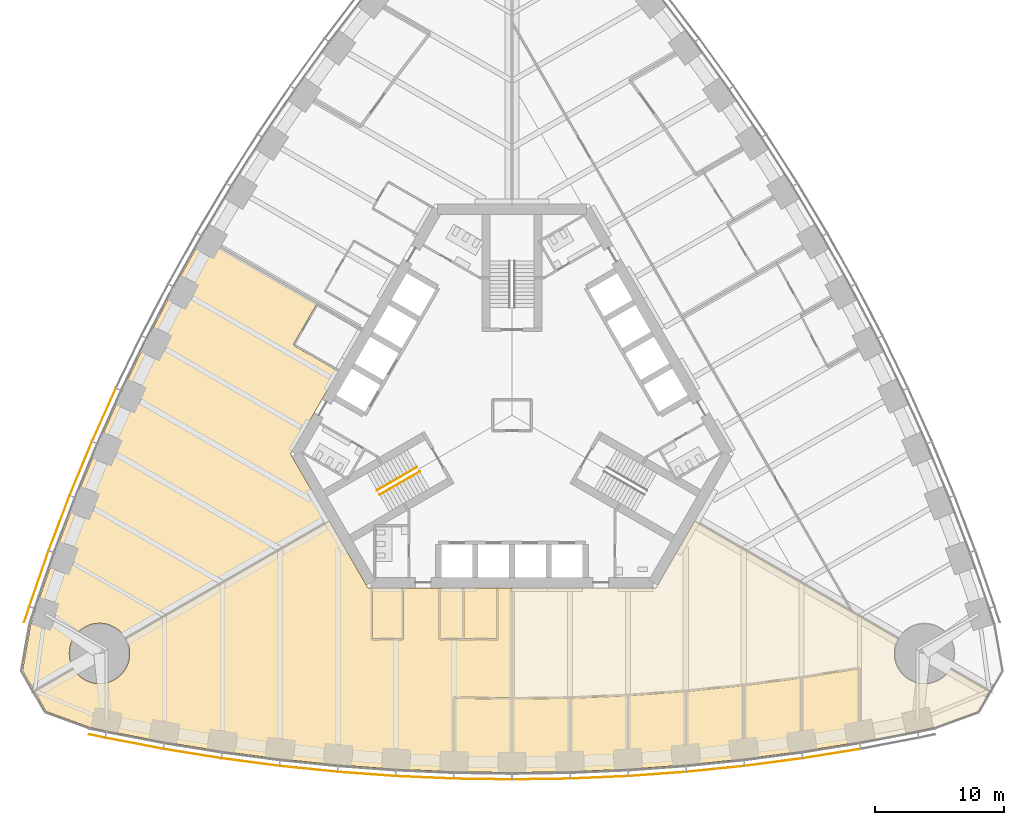
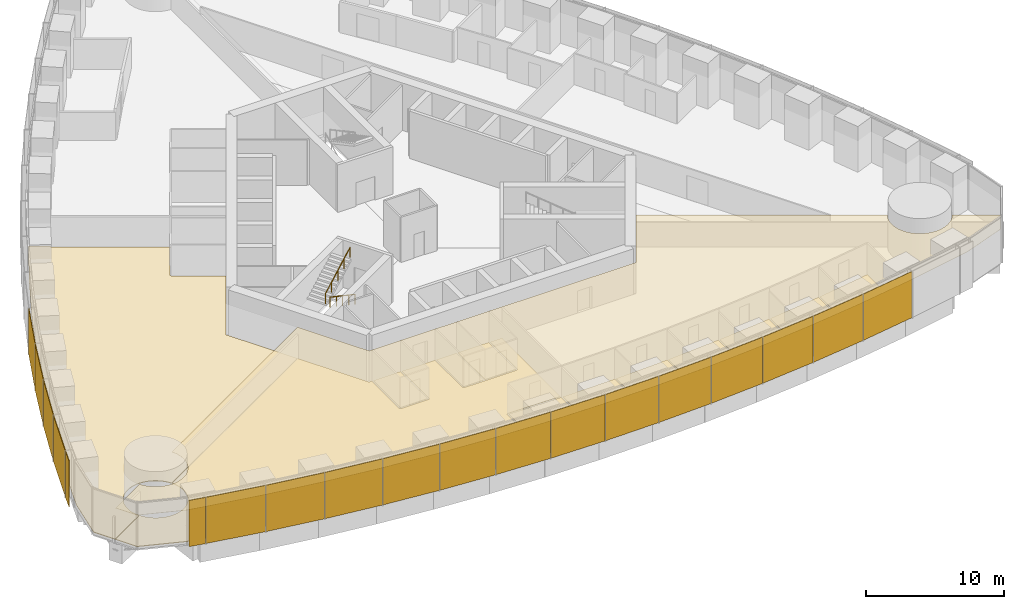
# One storey, part 14 of 18: 19 shading devices, 13 coverings, 2 railings.
"""IFC4 building model written with IfcOpenShell, lengths in metres."""

from ifc_helpers import new_model, si_unit, direction, frame, origin, origin_2d, place, context, subcontext, project, spatial, polyline, rectangle, circle, outline, extrude, material, layer, layer_set, type_object, element, save


model = new_model("IFC4")

# Units and contexts
model_context = context("Model", 3, precision=1e-05, world=origin(), true_north=direction((0.0, 1.0)))
body_context = subcontext(model_context, "Body", "Model", "MODEL_VIEW")
ifc_project = project(units=[si_unit("LENGTHUNIT", "METRE"), si_unit("AREAUNIT", "SQUARE_METRE"), si_unit("VOLUMEUNIT", "CUBIC_METRE"), si_unit("PLANEANGLEUNIT", "RADIAN"), si_unit("MASSUNIT", "GRAM", prefix="KILO")], contexts=[model_context])

# Site, building, storey
site_placement = place(None, origin())
site = spatial("IfcSite", under=ifc_project, at=site_placement, CompositionType="ELEMENT")
building_placement = place(site_placement, origin())
building = spatial("IfcBuilding", under=site, at=building_placement, Name="Trefoil Bronze Tower", CompositionType="ELEMENT")
storey_placement = place(building_placement, frame((0.0, 0.0, 66.89990234375)))
storey = spatial("IfcBuildingStorey", under=building, at=storey_placement, Name="L15", CompositionType="ELEMENT", Elevation=66.89990234375)

# Shading devices
ifc_material_1 = material(Name="Perforated bronze sheet", Category="bronze")
ifc_layer_1 = layer(ifc_material_1, 0.0400390625)
ifc_layer_set_1 = layer_set([ifc_layer_1], Name="Bronze solar screen panel")
shading_device_type = type_object("IfcShadingDeviceType", Name="Bronze solar screen panel", PredefinedType="SHUTTER", material=ifc_layer_set_1)
shading_device_1_placement = place(storey_placement, frame((-32.2431640625, -24.91064453125, 0.050048828125), z_axis=(0.0, 0.0, 1.0), x_axis=(0.978302717041, -0.207180582657, 0.0)))
element("IfcShadingDevice", 1, at=shading_device_1_placement, inside=storey, type_object=shading_device_type, Name="Solar screen CW-A L15 F1 bay 1", PredefinedType="SHUTTER", context=body_context, shape_type="SweptSolid", body=[
    extrude(rectangle(XDim=1.260498046875, YDim=0.0400390625, at=origin_2d()), origin(), (0.0, 0.0, 1.0), 4.10009765625),
])
shading_device_2_placement = place(storey_placement, frame((-29.351806640625, -25.478515625, 0.050048828125), z_axis=(0.0, 0.0, 1.0), x_axis=(0.982049823817, -0.188621694249, 0.0)))
element("IfcShadingDevice", 2, at=shading_device_2_placement, inside=storey, type_object=shading_device_type, Name="Solar screen CW-A L15 F1 bay 2", PredefinedType="SHUTTER", context=body_context, shape_type="SweptSolid", body=[
    extrude(rectangle(XDim=4.55224609375, YDim=0.0400390625, at=origin_2d()), origin(), (0.0, 0.0, 1.0), 4.10009765625),
])
shading_device_3_placement = place(storey_placement, frame((-24.836181640625, -26.277099609375, 0.050048828125), z_axis=(0.0, 0.0, 1.0), x_axis=(0.987181315145, -0.159602791421, 0.0)))
element("IfcShadingDevice", 3, at=shading_device_3_placement, inside=storey, type_object=shading_device_type, Name="Solar screen CW-A L15 F1 bay 3", PredefinedType="SHUTTER", context=body_context, shape_type="SweptSolid", body=[
    extrude(rectangle(XDim=4.5283203125, YDim=0.0400390625, at=origin_2d()), origin(), (0.0, 0.0, 1.0), 4.10009765625),
])
shading_device_4_placement = place(storey_placement, frame((-20.320556640625, -26.939697265625, 0.050048828125), z_axis=(0.0, 0.0, 1.0), x_axis=(0.991437251591, -0.130583981243, 0.0)))
element("IfcShadingDevice", 4, at=shading_device_4_placement, inside=storey, type_object=shading_device_type, Name="Solar screen CW-A L15 F1 bay 4", PredefinedType="SHUTTER", context=body_context, shape_type="SweptSolid", body=[
    extrude(rectangle(XDim=4.5087890625, YDim=0.0400390625, at=origin_2d()), origin(), (0.0, 0.0, 1.0), 4.10009765625),
])
shading_device_5_placement = place(storey_placement, frame((-15.804931640625, -27.467529296875, 0.050048828125), z_axis=(0.0, 0.0, 1.0), x_axis=(0.994828880293, -0.101565244717, 0.0)))
element("IfcShadingDevice", 5, at=shading_device_5_placement, inside=storey, type_object=shading_device_type, Name="Solar screen CW-A L15 F1 bay 5", PredefinedType="SHUTTER", context=body_context, shape_type="SweptSolid", body=[
    extrude(rectangle(XDim=4.493408203125, YDim=0.0400390625, at=origin_2d()), origin(), (0.0, 0.0, 1.0), 4.10009765625),
])
shading_device_6_placement = place(storey_placement, frame((-11.2890625, -27.8623046875, 0.050048828125), z_axis=(0.0, 0.0, 1.0), x_axis=(0.99736502647, -0.072546564177, 0.0)))
element("IfcShadingDevice", 6, at=shading_device_6_placement, inside=storey, type_object=shading_device_type, Name="Solar screen CW-A L15 F1 bay 6", PredefinedType="SHUTTER", context=body_context, shape_type="SweptSolid", body=[
    extrude(rectangle(XDim=4.48193359375, YDim=0.0400390625, at=origin_2d()), origin(), (0.0, 0.0, 1.0), 4.10009765625),
])
shading_device_7_placement = place(storey_placement, frame((-6.7734375, -28.124755859375, 0.050048828125), z_axis=(0.0, 0.0, 1.0), x_axis=(0.999052210809, -0.043527922969, 0.0)))
element("IfcShadingDevice", 7, at=shading_device_7_placement, inside=storey, type_object=shading_device_type, Name="Solar screen CW-A L15 F1 bay 7", PredefinedType="SHUTTER", context=body_context, shape_type="SweptSolid", body=[
    extrude(rectangle(XDim=4.474365234375, YDim=0.0400390625, at=origin_2d()), origin(), (0.0, 0.0, 1.0), 4.10009765625),
])
for number, where, z_axis, x_axis, name in (
    (8, (-2.2578125, -28.256103515625, 0.050048828125), (0.0, 0.0, 1.0), (0.999894734493, -0.014509305083, 0.0), "Solar screen CW-A L15 F1 bay 8"),
    (9, (2.2578125, -28.256103515625, 0.050048828125), (0.0, 0.0, 1.0), (0.999894734493, 0.014509305083, 0.0), "Solar screen CW-A L15 F1 bay 9"),
):
    element("IfcShadingDevice", number, at=place(storey_placement, frame(where, z_axis=z_axis, x_axis=x_axis)), inside=storey, type_object=shading_device_type, Name=name, PredefinedType="SHUTTER", context=body_context, shape_type="SweptSolid", body=[
        extrude(rectangle(XDim=4.470458984375, YDim=0.0400390625, at=origin_2d()), origin(), (0.0, 0.0, 1.0), 4.10009765625),
    ])
shading_device_8_placement = place(storey_placement, frame((6.7734375, -28.124755859375, 0.050048828125), z_axis=(0.0, 0.0, 1.0), x_axis=(0.999052210809, 0.043527922969, 0.0)))
element("IfcShadingDevice", 10, at=shading_device_8_placement, inside=storey, type_object=shading_device_type, Name="Solar screen CW-A L15 F1 bay 10", PredefinedType="SHUTTER", context=body_context, shape_type="SweptSolid", body=[
    extrude(rectangle(XDim=4.474365234375, YDim=0.0400390625, at=origin_2d()), origin(), (0.0, 0.0, 1.0), 4.10009765625),
])
shading_device_9_placement = place(storey_placement, frame((11.2890625, -27.8623046875, 0.050048828125), z_axis=(0.0, 0.0, 1.0), x_axis=(0.99736502647, 0.072546564177, 0.0)))
element("IfcShadingDevice", 11, at=shading_device_9_placement, inside=storey, type_object=shading_device_type, Name="Solar screen CW-A L15 F1 bay 11", PredefinedType="SHUTTER", context=body_context, shape_type="SweptSolid", body=[
    extrude(rectangle(XDim=4.48193359375, YDim=0.0400390625, at=origin_2d()), origin(), (0.0, 0.0, 1.0), 4.10009765625),
])
shading_device_10_placement = place(storey_placement, frame((15.804931640625, -27.467529296875, 0.050048828125), z_axis=(0.0, 0.0, 1.0), x_axis=(0.994828880293, 0.101565244717, 0.0)))
element("IfcShadingDevice", 12, at=shading_device_10_placement, inside=storey, type_object=shading_device_type, Name="Solar screen CW-A L15 F1 bay 12", PredefinedType="SHUTTER", context=body_context, shape_type="SweptSolid", body=[
    extrude(rectangle(XDim=4.493408203125, YDim=0.0400390625, at=origin_2d()), origin(), (0.0, 0.0, 1.0), 4.10009765625),
])
shading_device_11_placement = place(storey_placement, frame((20.320556640625, -26.939697265625, 0.050048828125), z_axis=(0.0, 0.0, 1.0), x_axis=(0.991437251591, 0.130583981243, 0.0)))
element("IfcShadingDevice", 13, at=shading_device_11_placement, inside=storey, type_object=shading_device_type, Name="Solar screen CW-A L15 F1 bay 13", PredefinedType="SHUTTER", context=body_context, shape_type="SweptSolid", body=[
    extrude(rectangle(XDim=4.5087890625, YDim=0.0400390625, at=origin_2d()), origin(), (0.0, 0.0, 1.0), 4.10009765625),
])
shading_device_12_placement = place(storey_placement, frame((24.836181640625, -26.277099609375, 0.050048828125), z_axis=(0.0, 0.0, 1.0), x_axis=(0.987181315145, 0.159602791421, 0.0)))
element("IfcShadingDevice", 14, at=shading_device_12_placement, inside=storey, type_object=shading_device_type, Name="Solar screen CW-A L15 F1 bay 14", PredefinedType="SHUTTER", context=body_context, shape_type="SweptSolid", body=[
    extrude(rectangle(XDim=4.5283203125, YDim=0.0400390625, at=origin_2d()), origin(), (0.0, 0.0, 1.0), 4.10009765625),
])
shading_device_13_placement = place(storey_placement, frame((-31.68994140625, 0.04638671875, 0.050048828125), z_axis=(0.0, 0.0, 1.0), x_axis=(-0.40945635808, -0.912329705111, 0.0)))
element("IfcShadingDevice", 15, at=shading_device_13_placement, inside=storey, type_object=shading_device_type, Name="Solar screen CW-A L15 F3 bay 12", PredefinedType="SHUTTER", context=body_context, shape_type="SweptSolid", body=[
    extrude(rectangle(XDim=4.493408203125, YDim=0.0400390625, at=origin_2d()), origin(), (0.0, 0.0, 1.0), 4.10009765625),
])
shading_device_14_placement = place(storey_placement, frame((-33.49072265625, -4.128173828125, 0.050048828125), z_axis=(0.0, 0.0, 1.0), x_axis=(-0.382629580712, -0.923901836758, 0.0)))
element("IfcShadingDevice", 16, at=shading_device_14_placement, inside=storey, type_object=shading_device_type, Name="Solar screen CW-A L15 F3 bay 13", PredefinedType="SHUTTER", context=body_context, shape_type="SweptSolid", body=[
    extrude(rectangle(XDim=4.5087890625, YDim=0.0400390625, at=origin_2d()), origin(), (0.0, 0.0, 1.0), 4.10009765625),
])
shading_device_15_placement = place(storey_placement, frame((-35.1748046875, -8.3701171875, 0.050048828125), z_axis=(0.0, 0.0, 1.0), x_axis=(-0.355370585687, -0.934725492767, 0.0)))
element("IfcShadingDevice", 17, at=shading_device_15_placement, inside=storey, type_object=shading_device_type, Name="Solar screen CW-A L15 F3 bay 14", PredefinedType="SHUTTER", context=body_context, shape_type="SweptSolid", body=[
    extrude(rectangle(XDim=4.5283203125, YDim=0.0400390625, at=origin_2d()), origin(), (0.0, 0.0, 1.0), 4.10009765625),
])
shading_device_16_placement = place(storey_placement, frame((-36.740966796875, -12.68017578125, 0.050048828125), z_axis=(0.0, 0.0, 1.0), x_axis=(-0.327673732984, -0.944790942332, 0.0)))
element("IfcShadingDevice", 18, at=shading_device_16_placement, inside=storey, type_object=shading_device_type, Name="Solar screen CW-A L15 F3 bay 15", PredefinedType="SHUTTER", context=body_context, shape_type="SweptSolid", body=[
    extrude(rectangle(XDim=4.55224609375, YDim=0.0400390625, at=origin_2d()), origin(), (0.0, 0.0, 1.0), 4.10009765625),
])
shading_device_17_placement = place(storey_placement, frame((-37.69482421875, -15.468017578125, 0.050048828125), z_axis=(0.0, 0.0, 1.0), x_axis=(-0.309727710769, -0.950825296877, 0.0)))
element("IfcShadingDevice", 19, at=shading_device_17_placement, inside=storey, type_object=shading_device_type, Name="Solar screen CW-A L15 F3 bay 16", PredefinedType="SHUTTER", context=body_context, shape_type="SweptSolid", body=[
    extrude(rectangle(XDim=1.260498046875, YDim=0.0400390625, at=origin_2d()), origin(), (0.0, 0.0, 1.0), 4.10009765625),
])

# Railings
ifc_material_2 = material(Name="Steel handrail", Category="steel")
railing_type = type_object("IfcRailingType", Name="Handrail 900", PredefinedType="HANDRAIL", material=ifc_material_2)
railing_1_placement = place(storey_placement, frame((-7.166015625, -4.3681640625, 0.16162109375)))
element("IfcRailing", 20, at=railing_1_placement, inside=storey, type_object=railing_type, Name="Handrail ST3 flight 1 L15", PredefinedType="HANDRAIL", context=body_context, shape_type="SweptSolid", body=[
    extrude(circle(Radius=0.02392578125, at=origin_2d()), frame((0.0, 0.0, 0.8759765625), z_axis=(-0.76250339821, -0.440245697338, 0.474101564745), x_axis=(0.500012057535, -0.866018442252, 0.0)), (0.0, 0.0, 1.0), 4.088623046875),
    extrude(circle(Radius=0.02099609375, at=origin_2d()), origin(), (0.0, 0.0, 1.0), 0.851806640625),
    extrude(circle(Radius=0.02099609375, at=origin_2d()), frame((-0.779296875, -0.449951171875, 0.484619140625)), (0.0, 0.0, 1.0), 0.851806640625),
    extrude(circle(Radius=0.02099609375, at=origin_2d()), frame((-1.558837890625, -0.89990234375, 0.96923828125)), (0.0, 0.0, 1.0), 0.851806640625),
    extrude(circle(Radius=0.02099609375, at=origin_2d()), frame((-2.33837890625, -1.35009765625, 1.453857421875)), (0.0, 0.0, 1.0), 0.851806640625),
    extrude(circle(Radius=0.02099609375, at=origin_2d()), frame((-3.11767578125, -1.800048828125, 1.9384765625)), (0.0, 0.0, 1.0), 0.851806640625),
])
railing_2_placement = place(storey_placement, frame((-10.483642578125, -5.82177734375, 2.26171875)))
element("IfcRailing", 21, at=railing_2_placement, inside=storey, type_object=railing_type, Name="Handrail ST3 flight 2 L15", PredefinedType="HANDRAIL", context=body_context, shape_type="SweptSolid", body=[
    extrude(circle(Radius=0.02392578125, at=origin_2d()), frame((0.0, 0.0, 0.8759765625), z_axis=(0.76250339821, 0.440245697338, 0.474101564745), x_axis=(-0.500012057535, 0.866018442252, 0.0)), (0.0, 0.0, 1.0), 4.088623046875),
    extrude(circle(Radius=0.02099609375, at=origin_2d()), origin(), (0.0, 0.0, 1.0), 0.851806640625),
    extrude(circle(Radius=0.02099609375, at=origin_2d()), frame((0.779296875, 0.449951171875, 0.484619140625)), (0.0, 0.0, 1.0), 0.851806640625),
    extrude(circle(Radius=0.02099609375, at=origin_2d()), frame((1.558837890625, 0.89990234375, 0.96923828125)), (0.0, 0.0, 1.0), 0.851806640625),
    extrude(circle(Radius=0.02099609375, at=origin_2d()), frame((2.33837890625, 1.35009765625, 1.453857421875)), (0.0, 0.0, 1.0), 0.851806640625),
    extrude(circle(Radius=0.02099609375, at=origin_2d()), frame((3.11767578125, 1.800048828125, 1.9384765625)), (0.0, 0.0, 1.0), 0.851806640625),
])

# Coverings
ifc_material_3 = material(Name="Acoustic ceiling panels", Category="mineral fibre")
ifc_layer_2 = layer(ifc_material_3, 0.02001953125)
ifc_layer_set_2 = layer_set([ifc_layer_2], Name="Office ceiling 20")
covering_type_1 = type_object("IfcCoveringType", Name="Office ceiling 20", PredefinedType="CEILING", material=ifc_layer_set_2)
covering_1_placement = place(storey_placement, frame((0.0, 0.0, 2.900146484375)))
element("IfcCovering", 22, at=covering_1_placement, inside=storey, type_object=covering_type_1, Name="Ceiling L15 Open-plan office F1", PredefinedType="CEILING", context=body_context, shape_type="SweptSolid", body=[
    extrude(outline(polyline([(-33.996826171875, -19.8056640625), (-33.930419921875, -19.89990234375), (-33.859619140625, -19.99072265625), (-33.7841796875, -20.078125), (-33.70458984375, -20.16162109375), (-33.62109375, -20.2412109375), (-33.53369140625, -20.316650390625), (-33.44287109375, -20.387451171875), (-33.348388671875, -20.4541015625), (-33.251220703125, -20.515625), (-33.150634765625, -20.572509765625), (-33.047607421875, -20.62451171875), (-32.942138671875, -20.671142578125), (-32.834716796875, -20.712646484375), (-32.72509765625, -20.748779296875), (-32.614013671875, -20.779541015625), (-32.50146484375, -20.8046875), (-32.3876953125, -20.82470703125), (-32.273193359375, -20.838623046875), (-32.158203125, -20.84716796875), (-32.04296875, -20.85009765625), (-31.927490234375, -20.84716796875), (-31.8125, -20.838623046875), (-31.697998046875, -20.82470703125), (-31.58447265625, -20.8046875), (-31.471923828125, -20.779541015625), (-31.36083984375, -20.748779296875), (-31.251220703125, -20.712646484375), (-31.1435546875, -20.671142578125), (-31.0380859375, -20.62451171875), (-30.935302734375, -20.572509765625), (-30.834716796875, -20.515625), (-30.7373046875, -20.4541015625), (-30.64306640625, -20.387451171875), (-30.552001953125, -20.316650390625), (-30.46484375, -20.2412109375), (-30.381103515625, -20.16162109375), (-30.3017578125, -20.078125), (-30.226318359375, -19.99072265625), (-30.155517578125, -19.89990234375), (-30.089111328125, -19.8056640625), (-30.02734375, -19.7080078125), (-29.970458984375, -19.60791015625), (-29.918701171875, -19.5048828125), (-29.871826171875, -19.3994140625), (-29.830322265625, -19.291748046875), (-29.794189453125, -19.18212890625), (-29.763427734375, -19.071044921875), (-29.738037109375, -18.95849609375), (-29.718505859375, -18.8447265625), (-29.704345703125, -18.730224609375), (-29.69580078125, -18.615234375), (-29.69287109375, -18.5), (-29.69580078125, -18.384765625), (-29.704345703125, -18.269775390625), (-29.718505859375, -18.1552734375), (-29.738037109375, -18.04150390625), (-29.763427734375, -17.928955078125), (-29.794189453125, -17.81787109375), (-29.830322265625, -17.708251953125), (-29.871826171875, -17.6005859375), (-29.918701171875, -17.4951171875), (-29.970458984375, -17.39208984375), (-30.001953125, -17.336669921875), (-14.19970703125, -8.205322265625), (-11.20068359375, -13.39990234375), (11.20068359375, -13.39990234375), (14.19970703125, -8.205322265625), (30.001953125, -17.336669921875), (29.970458984375, -17.39208984375), (29.918701171875, -17.4951171875), (29.871826171875, -17.6005859375), (29.830322265625, -17.708251953125), (29.794189453125, -17.81787109375), (29.763427734375, -17.928955078125), (29.738037109375, -18.04150390625), (29.718505859375, -18.1552734375), (29.704345703125, -18.269775390625), (29.69580078125, -18.384765625), (29.69287109375, -18.5), (29.69580078125, -18.615234375), (29.704345703125, -18.730224609375), (29.718505859375, -18.8447265625), (29.738037109375, -18.95849609375), (29.763427734375, -19.071044921875), (29.794189453125, -19.18212890625), (29.830322265625, -19.291748046875), (29.871826171875, -19.3994140625), (29.918701171875, -19.5048828125), (29.970458984375, -19.60791015625), (30.02734375, -19.7080078125), (30.089111328125, -19.8056640625), (30.155517578125, -19.89990234375), (30.226318359375, -19.99072265625), (30.3017578125, -20.078125), (30.381103515625, -20.16162109375), (30.46484375, -20.2412109375), (30.552001953125, -20.316650390625), (30.64306640625, -20.387451171875), (30.7373046875, -20.4541015625), (30.834716796875, -20.515625), (30.935302734375, -20.572509765625), (31.0380859375, -20.62451171875), (31.1435546875, -20.671142578125), (31.251220703125, -20.712646484375), (31.36083984375, -20.748779296875), (31.471923828125, -20.779541015625), (31.58447265625, -20.8046875), (31.697998046875, -20.82470703125), (31.8125, -20.838623046875), (31.927490234375, -20.84716796875), (32.04296875, -20.85009765625), (32.158203125, -20.84716796875), (32.273193359375, -20.838623046875), (32.3876953125, -20.82470703125), (32.50146484375, -20.8046875), (32.614013671875, -20.779541015625), (32.72509765625, -20.748779296875), (32.834716796875, -20.712646484375), (32.942138671875, -20.671142578125), (33.047607421875, -20.62451171875), (33.150634765625, -20.572509765625), (33.251220703125, -20.515625), (33.348388671875, -20.4541015625), (33.44287109375, -20.387451171875), (33.53369140625, -20.316650390625), (33.62109375, -20.2412109375), (33.70458984375, -20.16162109375), (33.7841796875, -20.078125), (33.859619140625, -19.99072265625), (33.930419921875, -19.89990234375), (33.996826171875, -19.8056640625), (34.0703125, -19.6875), (37.094482421875, -21.43505859375), (36.190673828125, -23.0009765625), (32.762451171875, -24.248779296875), (31.5, -24.51611328125), (27.0, -25.38037109375), (22.5, -26.10791015625), (18.0, -26.70068359375), (13.5, -27.159912109375), (9.0, -27.4873046875), (4.5, -27.683349609375), (0.0, -27.748779296875), (-4.5, -27.683349609375), (-9.0, -27.4873046875), (-13.5, -27.159912109375), (-18.0, -26.70068359375), (-22.5, -26.10791015625), (-27.0, -25.38037109375), (-31.5, -24.51611328125), (-32.762451171875, -24.248779296875), (-36.190673828125, -23.0009765625), (-37.094482421875, -21.43505859375), (-34.0703125, -19.6875), (-33.996826171875, -19.8056640625)])), origin(), (0.0, 0.0, 1.0), 0.02001953125),
])
ifc_material_4 = material(Name="Raised access floor panels", Category="steel")
ifc_layer_3 = layer(ifc_material_4, 0.050048828125)
ifc_layer_set_3 = layer_set([ifc_layer_3], Name="Raised access floor 150")
covering_type_2 = type_object("IfcCoveringType", Name="Raised access floor 150", PredefinedType="FLOORING", material=ifc_layer_set_3)
covering_2_placement = place(storey_placement, frame((0.0, 0.0, 0.10009765625)))
element("IfcCovering", 23, at=covering_2_placement, inside=storey, type_object=covering_type_2, Name="Raised floor L15 Focus room F1", PredefinedType="FLOORING", context=body_context, shape_type="SweptSolid", body=[
    extrude(outline(polyline([(-3.860107421875, -13.39990234375), (-3.860107421875, -17.340087890625), (-5.5400390625, -17.340087890625), (-5.5400390625, -13.39990234375), (-3.860107421875, -13.39990234375)])), origin(), (0.0, 0.0, 1.0), 0.050048828125),
])
covering_3_placement = place(storey_placement, frame((0.0, 0.0, 0.10009765625)))
element("IfcCovering", 24, at=covering_3_placement, inside=storey, type_object=covering_type_2, Name="Raised floor L15 Pantry F1", PredefinedType="FLOORING", context=body_context, shape_type="SweptSolid", body=[
    extrude(outline(polyline([(-1.159912109375, -13.39990234375), (-1.159912109375, -17.340087890625), (-3.739990234375, -17.340087890625), (-3.739990234375, -13.39990234375), (-1.159912109375, -13.39990234375)])), origin(), (0.0, 0.0, 1.0), 0.050048828125),
])
covering_4_placement = place(storey_placement, frame((0.0, 0.0, 0.10009765625)))
element("IfcCovering", 25, at=covering_4_placement, inside=storey, type_object=covering_type_2, Name="Raised floor L15 Store F1", PredefinedType="FLOORING", context=body_context, shape_type="SweptSolid", body=[
    extrude(outline(polyline([(-8.56005859375, -13.39990234375), (-8.56005859375, -17.340087890625), (-10.840087890625, -17.340087890625), (-10.840087890625, -13.39990234375), (-8.56005859375, -13.39990234375)])), origin(), (0.0, 0.0, 1.0), 0.050048828125),
])
covering_5_placement = place(storey_placement, frame((0.0, 0.0, 0.10009765625)))
element("IfcCovering", 26, at=covering_5_placement, inside=storey, type_object=covering_type_2, Name="Raised floor L15 Office F1", PredefinedType="FLOORING", context=body_context, shape_type="SweptSolid", body=[
    extrude(outline(polyline([(0.0, -27.748779296875), (-4.5, -27.683349609375), (-4.5, -26.052734375), (-4.43994140625, -26.052734375), (-4.43994140625, -21.994384765625), (-0.074951171875, -22.0576171875), (-0.074951171875, -26.11865234375), (0.0, -26.11865234375), (0.0, -27.748779296875)])), origin(), (0.0, 0.0, 1.0), 0.050048828125),
])
covering_6_placement = place(storey_placement, frame((0.0, 0.0, 0.10009765625)))
element("IfcCovering", 27, at=covering_6_placement, inside=storey, type_object=covering_type_2, Name="Raised floor L15 Office F1", PredefinedType="FLOORING", context=body_context, shape_type="SweptSolid", body=[
    extrude(outline(polyline([(4.5, -27.683349609375), (0.0, -27.748779296875), (0.0, -26.11865234375), (0.074951171875, -26.11865234375), (0.074951171875, -22.0576171875), (4.43994140625, -21.994384765625), (4.43994140625, -26.052734375), (4.5, -26.052734375), (4.5, -27.683349609375)])), origin(), (0.0, 0.0, 1.0), 0.050048828125),
])
covering_7_placement = place(storey_placement, frame((0.0, 0.0, 0.10009765625)))
element("IfcCovering", 28, at=covering_7_placement, inside=storey, type_object=covering_type_2, Name="Raised floor L15 Office F1", PredefinedType="FLOORING", context=body_context, shape_type="SweptSolid", body=[
    extrude(outline(polyline([(9.0, -27.4873046875), (4.5, -27.683349609375), (4.5, -26.052734375), (4.56005859375, -26.052734375), (4.56005859375, -21.990966796875), (8.93994140625, -21.800048828125), (8.93994140625, -25.8544921875), (9.0, -25.8544921875), (9.0, -27.4873046875)])), origin(), (0.0, 0.0, 1.0), 0.050048828125),
])
covering_8_placement = place(storey_placement, frame((0.0, 0.0, 0.10009765625)))
element("IfcCovering", 29, at=covering_8_placement, inside=storey, type_object=covering_type_2, Name="Raised floor L15 Office F1", PredefinedType="FLOORING", context=body_context, shape_type="SweptSolid", body=[
    extrude(outline(polyline([(13.5, -27.159912109375), (9.0, -27.4873046875), (9.0, -25.8544921875), (9.06005859375, -25.8544921875), (9.06005859375, -21.793212890625), (13.43994140625, -21.474609375), (13.43994140625, -25.52392578125), (13.5, -25.52392578125), (13.5, -27.159912109375)])), origin(), (0.0, 0.0, 1.0), 0.050048828125),
])
covering_9_placement = place(storey_placement, frame((0.0, 0.0, 0.10009765625)))
element("IfcCovering", 30, at=covering_9_placement, inside=storey, type_object=covering_type_2, Name="Raised floor L15 Office F1", PredefinedType="FLOORING", context=body_context, shape_type="SweptSolid", body=[
    extrude(outline(polyline([(18.0, -26.70068359375), (13.5, -27.159912109375), (13.5, -25.52392578125), (13.56005859375, -25.52392578125), (13.56005859375, -21.464111328125), (17.93994140625, -21.01708984375), (17.93994140625, -25.0595703125), (18.0, -25.0595703125), (18.0, -26.70068359375)])), origin(), (0.0, 0.0, 1.0), 0.050048828125),
])
covering_10_placement = place(storey_placement, frame((0.0, 0.0, 0.10009765625)))
element("IfcCovering", 31, at=covering_10_placement, inside=storey, type_object=covering_type_2, Name="Raised floor L15 Office F1", PredefinedType="FLOORING", context=body_context, shape_type="SweptSolid", body=[
    extrude(outline(polyline([(22.5, -26.10791015625), (18.0, -26.70068359375), (18.0, -25.0595703125), (18.06005859375, -25.0595703125), (18.06005859375, -21.003173828125), (22.43994140625, -20.42626953125), (22.43994140625, -24.460693359375), (22.5, -24.460693359375), (22.5, -26.10791015625)])), origin(), (0.0, 0.0, 1.0), 0.050048828125),
])
covering_11_placement = place(storey_placement, frame((0.0, 0.0, 0.10009765625)))
element("IfcCovering", 32, at=covering_11_placement, inside=storey, type_object=covering_type_2, Name="Raised floor L15 Meeting room F1", PredefinedType="FLOORING", context=body_context, shape_type="SweptSolid", body=[
    extrude(outline(polyline([(27.0, -25.38037109375), (22.5, -26.10791015625), (22.5, -24.460693359375), (22.56005859375, -24.460693359375), (22.56005859375, -20.408935546875), (26.93994140625, -19.70068359375), (26.93994140625, -23.72509765625), (27.0, -23.72509765625), (27.0, -25.38037109375)])), origin(), (0.0, 0.0, 1.0), 0.050048828125),
])
covering_12_placement = place(storey_placement, frame((0.0, 0.0, 0.10009765625)))
element("IfcCovering", 33, at=covering_12_placement, inside=storey, type_object=covering_type_2, Name="Raised floor L15 Open-plan office F1", PredefinedType="FLOORING", context=body_context, shape_type="SweptSolid", body=[
    extrude(outline(polyline([(-30.001953125, -17.336669921875), (-14.19970703125, -8.205322265625), (-11.20068359375, -13.39990234375), (-10.9599609375, -13.39990234375), (-10.9599609375, -17.39990234375), (-10.89990234375, -17.39990234375), (-10.89990234375, -17.4599609375), (-8.5, -17.4599609375), (-8.5, -17.39990234375), (-8.43994140625, -17.39990234375), (-8.43994140625, -13.39990234375), (-5.659912109375, -13.39990234375), (-5.659912109375, -17.39990234375), (-5.60009765625, -17.39990234375), (-5.60009765625, -17.4599609375), (-1.10009765625, -17.4599609375), (-1.10009765625, -17.39990234375), (-1.0400390625, -17.39990234375), (-1.0400390625, -13.39990234375), (-0.0009765625, -13.39990234375), (-0.0009765625, -13.409912109375), (-0.074951171875, -13.409912109375), (-0.074951171875, -21.9375), (-4.4990234375, -21.873291015625), (-4.5, -21.933349609375), (-4.56005859375, -21.933349609375), (-4.56005859375, -26.052734375), (-4.5, -26.052734375), (-4.5, -27.683349609375), (-9.0, -27.4873046875), (-13.5, -27.159912109375), (-18.0, -26.70068359375), (-22.5, -26.10791015625), (-27.0, -25.38037109375), (-31.5, -24.51611328125), (-32.762451171875, -24.248779296875), (-36.190673828125, -23.0009765625), (-37.094482421875, -21.43505859375), (-34.0703125, -19.6875), (-33.996826171875, -19.8056640625), (-33.930419921875, -19.89990234375), (-33.859619140625, -19.99072265625), (-33.7841796875, -20.078125), (-33.70458984375, -20.16162109375), (-33.62109375, -20.2412109375), (-33.53369140625, -20.316650390625), (-33.44287109375, -20.387451171875), (-33.348388671875, -20.4541015625), (-33.251220703125, -20.515625), (-33.150634765625, -20.572509765625), (-33.047607421875, -20.62451171875), (-32.942138671875, -20.671142578125), (-32.834716796875, -20.712646484375), (-32.72509765625, -20.748779296875), (-32.614013671875, -20.779541015625), (-32.50146484375, -20.8046875), (-32.3876953125, -20.82470703125), (-32.273193359375, -20.838623046875), (-32.158203125, -20.84716796875), (-32.04296875, -20.85009765625), (-31.927490234375, -20.84716796875), (-31.8125, -20.838623046875), (-31.697998046875, -20.82470703125), (-31.58447265625, -20.8046875), (-31.471923828125, -20.779541015625), (-31.36083984375, -20.748779296875), (-31.251220703125, -20.712646484375), (-31.1435546875, -20.671142578125), (-31.0380859375, -20.62451171875), (-30.935302734375, -20.572509765625), (-30.834716796875, -20.515625), (-30.7373046875, -20.4541015625), (-30.64306640625, -20.387451171875), (-30.552001953125, -20.316650390625), (-30.46484375, -20.2412109375), (-30.381103515625, -20.16162109375), (-30.3017578125, -20.078125), (-30.226318359375, -19.99072265625), (-30.155517578125, -19.89990234375), (-30.089111328125, -19.8056640625), (-30.02734375, -19.7080078125), (-29.970458984375, -19.60791015625), (-29.918701171875, -19.5048828125), (-29.871826171875, -19.3994140625), (-29.830322265625, -19.291748046875), (-29.794189453125, -19.18212890625), (-29.763427734375, -19.071044921875), (-29.738037109375, -18.95849609375), (-29.718505859375, -18.8447265625), (-29.704345703125, -18.730224609375), (-29.69580078125, -18.615234375), (-29.69287109375, -18.5), (-29.69580078125, -18.384765625), (-29.704345703125, -18.269775390625), (-29.718505859375, -18.1552734375), (-29.738037109375, -18.04150390625), (-29.763427734375, -17.928955078125), (-29.794189453125, -17.81787109375), (-29.830322265625, -17.708251953125), (-29.871826171875, -17.6005859375), (-29.918701171875, -17.4951171875), (-29.970458984375, -17.39208984375), (-30.001953125, -17.336669921875)])), origin(), (0.0, 0.0, 1.0), 0.050048828125),
])
covering_13_placement = place(storey_placement, frame((0.0, 0.0, 0.10009765625)))
element("IfcCovering", 34, at=covering_13_placement, inside=storey, type_object=covering_type_2, Name="Raised floor L15 Open-plan office F3", PredefinedType="FLOORING", context=body_context, shape_type="SweptSolid", body=[
    extrude(outline(polyline([(-28.3046875, 5.949462890625), (-26.224609375, 9.944580078125), (-24.031494140625, 13.87353515625), (-22.6201171875, 13.05859375), (-22.656982421875, 12.994384765625), (-15.106201171875, 8.635009765625), (-15.13134765625, 8.591796875), (-15.183349609375, 8.62158203125), (-16.9833984375, 5.504150390625), (-16.931396484375, 5.47412109375), (-16.961181640625, 5.422119140625), (-13.497314453125, 3.422119140625), (-17.205078125, -3.0), (-14.205810546875, -8.194580078125), (-30.0146484375, -17.31396484375), (-30.02734375, -17.2919921875), (-30.089111328125, -17.1943359375), (-30.155517578125, -17.10009765625), (-30.226318359375, -17.00927734375), (-30.3017578125, -16.921875), (-30.381103515625, -16.83837890625), (-30.46484375, -16.7587890625), (-30.552001953125, -16.683349609375), (-30.64306640625, -16.612548828125), (-30.7373046875, -16.5458984375), (-30.834716796875, -16.484375), (-30.935302734375, -16.427490234375), (-31.0380859375, -16.37548828125), (-31.1435546875, -16.328857421875), (-31.251220703125, -16.287353515625), (-31.36083984375, -16.251220703125), (-31.471923828125, -16.220458984375), (-31.58447265625, -16.1953125), (-31.697998046875, -16.17529296875), (-31.8125, -16.161376953125), (-31.927490234375, -16.15283203125), (-32.04296875, -16.14990234375), (-32.158203125, -16.15283203125), (-32.273193359375, -16.161376953125), (-32.3876953125, -16.17529296875), (-32.50146484375, -16.1953125), (-32.614013671875, -16.220458984375), (-32.72509765625, -16.251220703125), (-32.834716796875, -16.287353515625), (-32.942138671875, -16.328857421875), (-33.047607421875, -16.37548828125), (-33.150634765625, -16.427490234375), (-33.251220703125, -16.484375), (-33.348388671875, -16.5458984375), (-33.44287109375, -16.612548828125), (-33.53369140625, -16.683349609375), (-33.62109375, -16.7587890625), (-33.70458984375, -16.83837890625), (-33.7841796875, -16.921875), (-33.859619140625, -17.00927734375), (-33.930419921875, -17.10009765625), (-33.996826171875, -17.1943359375), (-34.05859375, -17.2919921875), (-34.115478515625, -17.39208984375), (-34.167236328125, -17.4951171875), (-34.214111328125, -17.6005859375), (-34.255615234375, -17.708251953125), (-34.291748046875, -17.81787109375), (-34.322509765625, -17.928955078125), (-34.347900390625, -18.04150390625), (-34.367431640625, -18.1552734375), (-34.381591796875, -18.269775390625), (-34.39013671875, -18.384765625), (-34.392822265625, -18.5), (-34.39013671875, -18.615234375), (-34.381591796875, -18.730224609375), (-34.367431640625, -18.8447265625), (-34.347900390625, -18.95849609375), (-34.322509765625, -19.071044921875), (-34.291748046875, -19.18212890625), (-34.255615234375, -19.291748046875), (-34.214111328125, -19.3994140625), (-34.167236328125, -19.5048828125), (-34.115478515625, -19.60791015625), (-34.084716796875, -19.661865234375), (-37.110595703125, -21.4072265625), (-38.0146484375, -19.841552734375), (-37.381103515625, -16.248779296875), (-36.9814453125, -15.021728515625), (-35.47998046875, -10.6923828125), (-33.860107421875, -6.431640625), (-32.123291015625, -2.23828125), (-30.271240234375, 1.888671875), (-28.3046875, 5.949462890625)])), origin(), (0.0, 0.0, 1.0), 0.050048828125),
])

save(model, "model.ifc")
